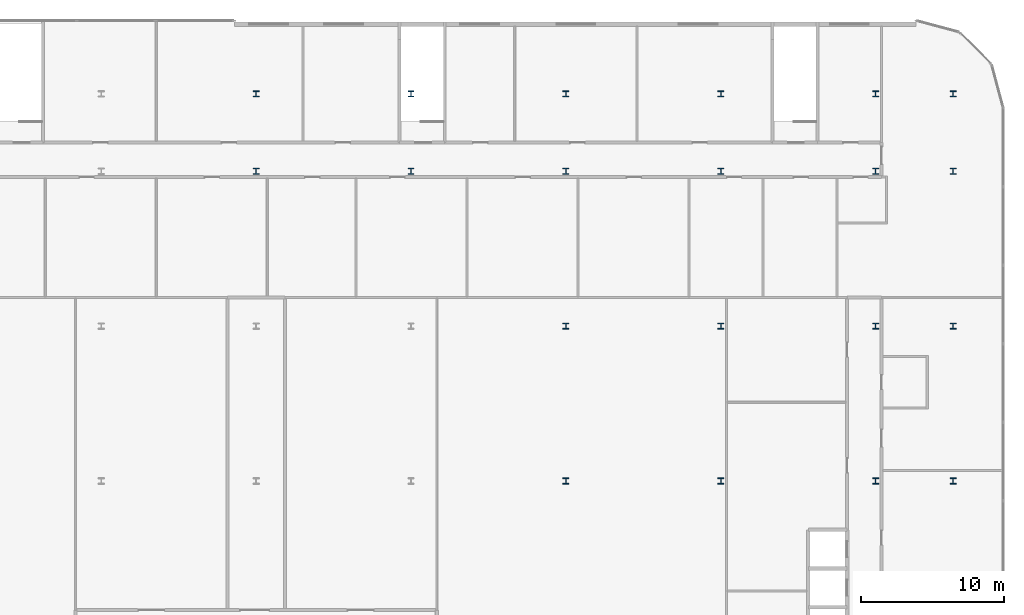
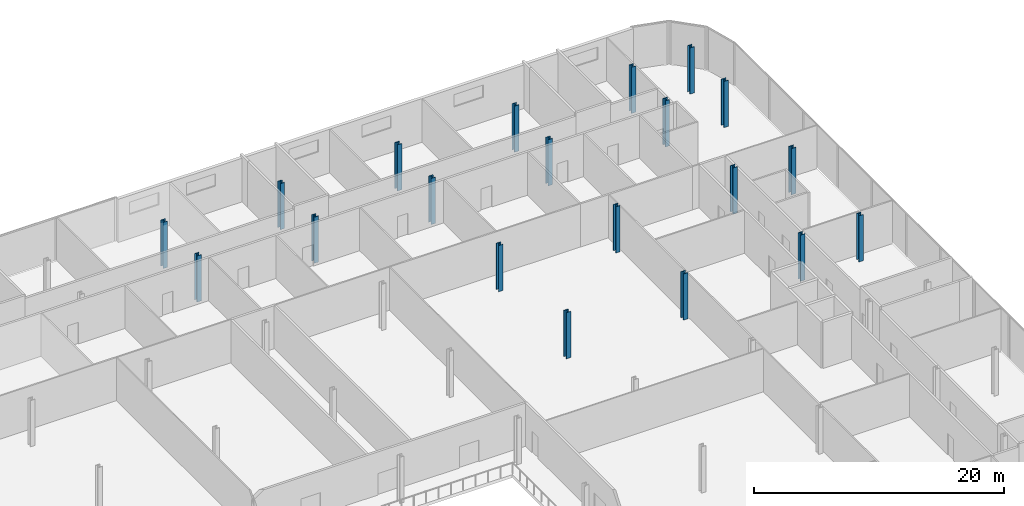
# One storey, part 5 of 43: 20 columns.
"""IFC4 building model written with IfcOpenShell, lengths in metres."""

import ifcopenshell
import ifcopenshell.guid

model = None  # the IFC model being written
_history = None  # IfcOwnerHistory: only IFC2X3 demands one
_inside = {}  # id of a spatial element -> (the spatial element, [elements in it])
_under = {}  # id of a project, library or spatial element -> (it, [spatial elements below it])
_declared = {}  # id of a project -> (the project, [libraries it declares])
_typed = {}  # id of a type object -> (the type object, [elements of that type])
_made_of = {}  # id of a material, layer set ... -> (it, [elements and type objects made of it])


def new_model(schema):
    """Start an empty IFC model of exactly this schema.

    Asked for "IFC4X3", IfcOpenShell would pick the latest addendum, in which some entities
    have other attributes; the version numbers below select the first issue.
    IFC2X3 requires an IfcOwnerHistory on every rooted entity: one is made here for all.
    """
    global model, _history
    if schema == "IFC4X3":
        model = ifcopenshell.file(schema_version=(4, 3, 0, 0))
    else:
        model = ifcopenshell.file(schema=schema)
    _inside.clear()
    _under.clear()
    _declared.clear()
    _typed.clear()
    _made_of.clear()
    _history = None
    if model.schema == "IFC2X3":
        org = make("IfcOrganization", Name="unknown")
        user = make(
            "IfcPersonAndOrganization",
            ThePerson=make("IfcPerson", FamilyName="unknown"),
            TheOrganization=org,
        )
        app = make(
            "IfcApplication",
            ApplicationDeveloper=org,
            Version="unknown",
            ApplicationFullName="unknown",
            ApplicationIdentifier="unknown",
        )
        _history = make(
            "IfcOwnerHistory",
            OwningUser=user,
            OwningApplication=app,
            ChangeAction="ADDED",
            CreationDate=0,
        )
    return model


def make(cls, **values):
    """One entity of the class cls with the attributes given. An attribute that is None is left unset."""
    return model.create_entity(
        cls, **{name: value for name, value in values.items() if value is not None}
    )


def rooted(cls, **values):
    """An entity with a GlobalId (a new one), such as an element, a storey or a relation."""
    return make(cls, GlobalId=ifcopenshell.guid.new(), OwnerHistory=_history, **values)


def si_unit(unit_type, name, prefix=None):
    """IfcSIUnit, for example si_unit("LENGTHUNIT", "METRE", prefix="MILLI")."""
    return make("IfcSIUnit", UnitType=unit_type, Prefix=prefix, Name=name)


def assignment(units):
    """IfcUnitAssignment: the units of a project."""
    return None if units is None else make("IfcUnitAssignment", Units=units)


def point(xyz):
    """IfcCartesianPoint."""
    return None if xyz is None else make("IfcCartesianPoint", Coordinates=xyz)


def direction(xyz):
    """IfcDirection."""
    return None if xyz is None else make("IfcDirection", DirectionRatios=xyz)


def frame(location, z_axis=None, x_axis=None):
    """IfcAxis2Placement3D, a coordinate frame: its origin and axes. An axis left out is left unset."""
    return make(
        "IfcAxis2Placement3D",
        Location=point(location),
        Axis=direction(z_axis),
        RefDirection=direction(x_axis),
    )


def frame_2d(location, x_axis=None):
    """IfcAxis2Placement2D, a coordinate frame in the plane: its origin and x axis."""
    return make(
        "IfcAxis2Placement2D", Location=point(location), RefDirection=direction(x_axis)
    )


def origin():
    """The frame at (0, 0, 0) with its axes left unset."""
    return frame((0.0, 0.0, 0.0))


def origin_2d():
    """The frame at (0, 0) in the plane with its x axis left unset."""
    return frame_2d((0.0, 0.0))


def place(relative_to, where):
    """IfcLocalPlacement: puts the frame where relative to a parent placement (None: the world)."""
    return make(
        "IfcLocalPlacement", PlacementRelTo=relative_to, RelativePlacement=where
    )


def context(
    kind, dimensions, precision=None, world=None, true_north=None, identifier=None
):
    """IfcGeometricRepresentationContext, for example the 3D "Model" context."""
    return make(
        "IfcGeometricRepresentationContext",
        ContextIdentifier=identifier,
        ContextType=kind,
        CoordinateSpaceDimension=dimensions,
        Precision=precision,
        WorldCoordinateSystem=world,
        TrueNorth=true_north,
    )


def subcontext(parent, identifier, kind, view, scale=None):
    """IfcGeometricRepresentationSubContext, for example "Body" below "Model"."""
    return make(
        "IfcGeometricRepresentationSubContext",
        ContextIdentifier=identifier,
        ContextType=kind,
        ParentContext=parent,
        TargetScale=scale,
        TargetView=view,
    )


def project(units=None, contexts=None):
    """IfcProject with its units and contexts."""
    return rooted(
        "IfcProject",
        Name="project",
        RepresentationContexts=contexts,
        UnitsInContext=assignment(units),
    )


def spatial(cls, under=None, at=None, **own):
    """A site, building, storey or space (cls), placed at a placement, below another one or the project."""
    s = rooted(cls, ObjectPlacement=at, **own)
    if under is not None:
        _under.setdefault(under.id(), (under, []))[1].append(s)
    return s


def profile(cls, at=None, kind="AREA", **sizes):
    """A parametric profile (cls). Its sizes go by their IFC names, for example OverallWidth=200.0."""
    return make(cls, ProfileType=kind, Position=at, **sizes)


def i_section(**sizes):
    """IfcIShapeProfileDef."""
    return profile("IfcIShapeProfileDef", **sizes)


def extrude(swept, where, along, depth):
    """IfcExtrudedAreaSolid: the profile swept, set in the frame where, extruded along a direction by depth."""
    return make(
        "IfcExtrudedAreaSolid",
        SweptArea=swept,
        Position=where,
        ExtrudedDirection=direction(along),
        Depth=depth,
    )


def shape(context_of_items, identifier, shape_type, items):
    """IfcShapeRepresentation: the items that make up one representation, for example the "Body"."""
    return make(
        "IfcShapeRepresentation",
        ContextOfItems=context_of_items,
        RepresentationIdentifier=identifier,
        RepresentationType=shape_type,
        Items=items,
    )


def material(Name=None, Category=None):
    """IfcMaterial."""
    return make("IfcMaterial", Name=Name, Category=Category)


def material_profile(
    of_material, cross_section, Name=None, Category=None, Priority=None
):
    """IfcMaterialProfile: a cross section and its material."""
    return make(
        "IfcMaterialProfile",
        Name=Name,
        Material=of_material,
        Profile=cross_section,
        Priority=Priority,
        Category=Category,
    )


def profile_set(profiles, Name=None, composite=None):
    """IfcMaterialProfileSet."""
    return make(
        "IfcMaterialProfileSet",
        Name=Name,
        MaterialProfiles=profiles,
        CompositeProfile=composite,
    )


def made_of(thing, what):
    """Note that an element or type object is made of a material, layer set ...; save() writes the relation."""
    if what is not None:
        _made_of.setdefault(what.id(), (what, []))[1].append(thing)
    return thing


def type_object(cls, material=None, **own):
    """A type object (cls), such as IfcWallType, which elements share."""
    return made_of(rooted(cls, **own), material)


def element(
    cls,
    number,
    at=None,
    inside=None,
    cuts=None,
    type_object=None,
    material=None,
    context=None,
    identifier="Body",
    shape_type=None,
    held_by="IfcProductDefinitionShape",
    body=None,
    shapes=None,
    **own,
):
    """One element of the class cls, such as IfcWall. Its Tag is "e" and its number.

    at: its placement. inside: the storey or other place that contains it. cuts: it is an
    opening in that element (IfcRelVoidsElement). A single representation is given by context,
    identifier, shape_type and body (its items); several are given by shapes. held_by: the class
    of the entity that holds the representations. save() writes the other relations.
    """
    e = rooted(cls, Tag="e%d" % number, ObjectPlacement=at, **own)
    if body is not None:
        shapes = [shape(context, identifier, shape_type, body)]
    if shapes is not None:
        e.Representation = make(held_by, Representations=shapes)
    if inside is not None:
        _inside.setdefault(inside.id(), (inside, []))[1].append(e)
    if cuts is not None:
        rooted(
            "IfcRelVoidsElement", RelatingBuildingElement=cuts, RelatedOpeningElement=e
        )
    if type_object is not None:
        _typed.setdefault(type_object.id(), (type_object, []))[1].append(e)
    return made_of(e, material)


def aggregate(whole, parts):
    """IfcRelAggregates: a whole, such as a stair, and the parts it consists of."""
    return rooted("IfcRelAggregates", RelatingObject=whole, RelatedObjects=parts)


def save(model, path):
    """Write the relations noted so far, then the file.

    IfcRelAggregates (storeys below a building ...), IfcRelContainedInSpatialStructure (elements
    in a storey), IfcRelDefinesByType, IfcRelAssociatesMaterial and IfcRelDeclares: one each for
    every whole, place, type object, material and project.
    """
    for whole, parts in _under.values():
        aggregate(whole, parts)
    for where, things in _inside.values():
        rooted(
            "IfcRelContainedInSpatialStructure",
            RelatedElements=things,
            RelatingStructure=where,
        )
    for kind, things in _typed.values():
        rooted("IfcRelDefinesByType", RelatedObjects=things, RelatingType=kind)
    for what, things in _made_of.values():
        rooted("IfcRelAssociatesMaterial", RelatedObjects=things, RelatingMaterial=what)
    for by, libraries in _declared.values():
        rooted("IfcRelDeclares", RelatingContext=by, RelatedDefinitions=libraries)
    model.write(path)


model = new_model("IFC4")

# Units and contexts
model_context = context("Model", 3, precision=1e-05, world=origin(), true_north=direction((0.0, 1.0)))
body_context = subcontext(model_context, "Body", "Model", "MODEL_VIEW")
ifc_project = project(units=[si_unit("LENGTHUNIT", "METRE"), si_unit("AREAUNIT", "SQUARE_METRE"), si_unit("VOLUMEUNIT", "CUBIC_METRE"), si_unit("PLANEANGLEUNIT", "RADIAN"), si_unit("MASSUNIT", "GRAM", prefix="KILO")], contexts=[model_context])

# Site, building, storey
site_placement = place(None, origin())
site = spatial("IfcSite", under=ifc_project, at=site_placement, CompositionType="ELEMENT")
building_placement = place(site_placement, origin())
building = spatial("IfcBuilding", under=site, at=building_placement, Name="Kheshtan School and Residences Tower", CompositionType="ELEMENT")
storey_placement = place(building_placement, frame((0.0, 0.0, 26.0)))
storey = spatial("IfcBuildingStorey", under=building, at=storey_placement, Name="L05", CompositionType="ELEMENT", Elevation=26.0)

# Columns
ifc_material = material(Name="Steel ASTM A992 Grade 50", Category="steel")
ifc_material_profile = material_profile(ifc_material, i_section(OverallWidth=0.408935546875, OverallDepth=0.425048828125, WebThickness=0.03271484375, FlangeThickness=0.052490234375, FilletRadius=0.0126953125, at=origin_2d()), Name="W360x421")
ifc_profile_set = profile_set([ifc_material_profile], Name="Steel ASTM A992 Grade 50")
column_type = type_object("IfcColumnType", Name="Column PC2 W360x421 ASTM A992 Grade 50", PredefinedType="COLUMN", material=ifc_profile_set)
for number, where, z_axis, x_axis, name in (
    (1, (101.60009765625, 78.0, 0.0), (0.0, 0.0, 1.0), (1.0, 0.0, 0.0), "Column P-081"),
    (2, (112.39990234375, 78.0, 0.0), (0.0, 0.0, 1.0), (1.0, 0.0, 0.0), "Column P-082"),
    (3, (123.199951171875, 78.0, 0.0), (0.0, 0.0, 1.0), (1.0, 0.0, 0.0), "Column P-083"),
    (4, (128.60009765625, 78.0, 0.0), (0.0, 0.0, 1.0), (1.0, 0.0, 0.0), "Column P-084"),
    (5, (101.60009765625, 88.800048828125, 0.0), (0.0, 0.0, 1.0), (1.0, 0.0, 0.0), "Column P-093"),
    (6, (112.39990234375, 88.800048828125, 0.0), (0.0, 0.0, 1.0), (1.0, 0.0, 0.0), "Column P-094"),
    (7, (123.199951171875, 88.800048828125, 0.0), (0.0, 0.0, 1.0), (1.0, 0.0, 0.0), "Column P-095"),
    (8, (128.60009765625, 88.800048828125, 0.0), (0.0, 0.0, 1.0), (1.0, 0.0, 0.0), "Column P-096"),
    (9, (80.0, 99.60009765625, 0.0), (0.0, 0.0, 1.0), (1.0, 0.0, 0.0), "Column P-103"),
    (10, (90.800048828125, 99.60009765625, 0.0), (0.0, 0.0, 1.0), (1.0, 0.0, 0.0), "Column P-104"),
    (11, (101.60009765625, 99.60009765625, 0.0), (0.0, 0.0, 1.0), (1.0, 0.0, 0.0), "Column P-105"),
    (12, (112.39990234375, 99.60009765625, 0.0), (0.0, 0.0, 1.0), (1.0, 0.0, 0.0), "Column P-106"),
    (13, (123.199951171875, 99.60009765625, 0.0), (0.0, 0.0, 1.0), (1.0, 0.0, 0.0), "Column P-107"),
    (14, (128.60009765625, 99.60009765625, 0.0), (0.0, 0.0, 1.0), (1.0, 0.0, 0.0), "Column P-108"),
    (15, (80.0, 105.0, 0.0), (0.0, 0.0, 1.0), (1.0, 0.0, 0.0), "Column P-115"),
    (16, (90.800048828125, 105.0, 0.0), (0.0, 0.0, 1.0), (1.0, 0.0, 0.0), "Column P-116"),
    (17, (101.60009765625, 105.0, 0.0), (0.0, 0.0, 1.0), (1.0, 0.0, 0.0), "Column P-117"),
    (18, (112.39990234375, 105.0, 0.0), (0.0, 0.0, 1.0), (1.0, 0.0, 0.0), "Column P-118"),
    (19, (123.199951171875, 105.0, 0.0), (0.0, 0.0, 1.0), (1.0, 0.0, 0.0), "Column P-119"),
    (20, (128.60009765625, 105.0, 0.0), (0.0, 0.0, 1.0), (1.0, 0.0, 0.0), "Column P-120"),
):
    element("IfcColumn", number, at=place(storey_placement, frame(where, z_axis=z_axis, x_axis=x_axis)), inside=storey, type_object=column_type, Name=name, PredefinedType="COLUMN", context=body_context, shape_type="SweptSolid", body=[
        extrude(i_section(OverallWidth=0.408935546875, OverallDepth=0.425048828125, WebThickness=0.03271484375, FlangeThickness=0.052490234375, FilletRadius=0.0126953125, at=origin_2d()), origin(), (0.0, 0.0, 1.0), 4.5),
    ])

save(model, "model.ifc")
